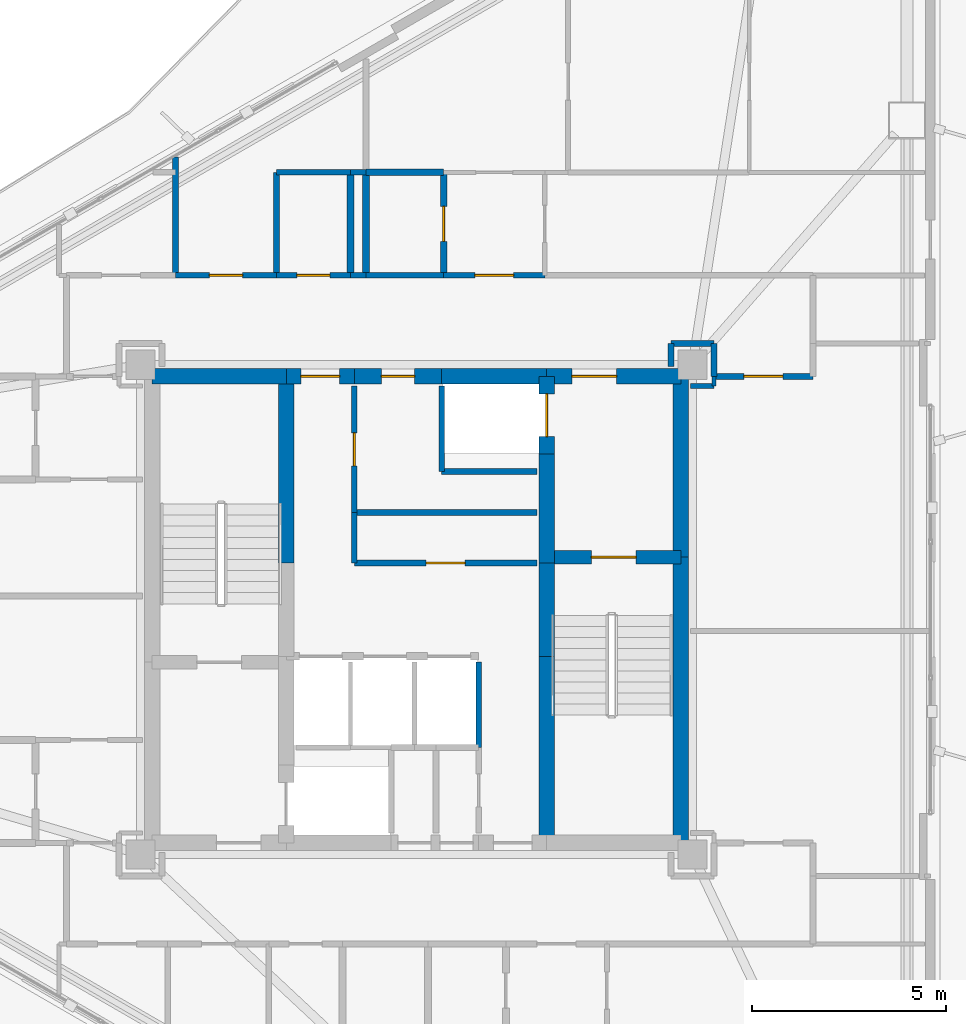
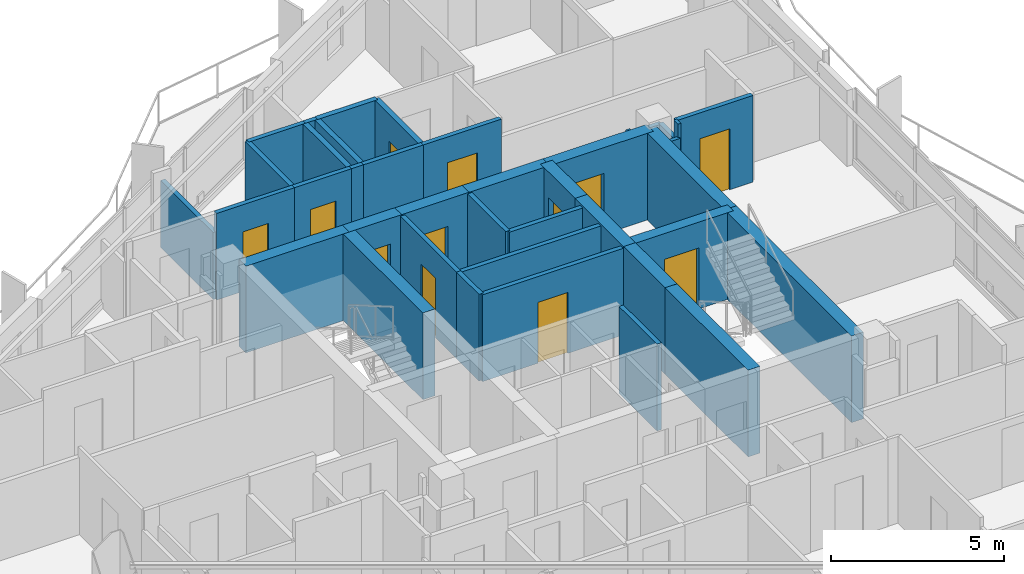
# One storey, part 15 of 19: 39 walls, 12 doors, 12 openings.
"""IFC4 building model written with IfcOpenShell, lengths in metres."""

import ifcopenshell
import ifcopenshell.guid

model = None  # the IFC model being written
_history = None  # IfcOwnerHistory: only IFC2X3 demands one
_inside = {}  # id of a spatial element -> (the spatial element, [elements in it])
_under = {}  # id of a project, library or spatial element -> (it, [spatial elements below it])
_declared = {}  # id of a project -> (the project, [libraries it declares])
_typed = {}  # id of a type object -> (the type object, [elements of that type])
_made_of = {}  # id of a material, layer set ... -> (it, [elements and type objects made of it])


def new_model(schema):
    """Start an empty IFC model of exactly this schema.

    Asked for "IFC4X3", IfcOpenShell would pick the latest addendum, in which some entities
    have other attributes; the version numbers below select the first issue.
    IFC2X3 requires an IfcOwnerHistory on every rooted entity: one is made here for all.
    """
    global model, _history
    if schema == "IFC4X3":
        model = ifcopenshell.file(schema_version=(4, 3, 0, 0))
    else:
        model = ifcopenshell.file(schema=schema)
    _inside.clear()
    _under.clear()
    _declared.clear()
    _typed.clear()
    _made_of.clear()
    _history = None
    if model.schema == "IFC2X3":
        org = make("IfcOrganization", Name="unknown")
        user = make(
            "IfcPersonAndOrganization",
            ThePerson=make("IfcPerson", FamilyName="unknown"),
            TheOrganization=org,
        )
        app = make(
            "IfcApplication",
            ApplicationDeveloper=org,
            Version="unknown",
            ApplicationFullName="unknown",
            ApplicationIdentifier="unknown",
        )
        _history = make(
            "IfcOwnerHistory",
            OwningUser=user,
            OwningApplication=app,
            ChangeAction="ADDED",
            CreationDate=0,
        )
    return model


def make(cls, **values):
    """One entity of the class cls with the attributes given. An attribute that is None is left unset."""
    return model.create_entity(
        cls, **{name: value for name, value in values.items() if value is not None}
    )


def rooted(cls, **values):
    """An entity with a GlobalId (a new one), such as an element, a storey or a relation."""
    return make(cls, GlobalId=ifcopenshell.guid.new(), OwnerHistory=_history, **values)


def si_unit(unit_type, name, prefix=None):
    """IfcSIUnit, for example si_unit("LENGTHUNIT", "METRE", prefix="MILLI")."""
    return make("IfcSIUnit", UnitType=unit_type, Prefix=prefix, Name=name)


def assignment(units):
    """IfcUnitAssignment: the units of a project."""
    return None if units is None else make("IfcUnitAssignment", Units=units)


def point(xyz):
    """IfcCartesianPoint."""
    return None if xyz is None else make("IfcCartesianPoint", Coordinates=xyz)


def direction(xyz):
    """IfcDirection."""
    return None if xyz is None else make("IfcDirection", DirectionRatios=xyz)


def frame(location, z_axis=None, x_axis=None):
    """IfcAxis2Placement3D, a coordinate frame: its origin and axes. An axis left out is left unset."""
    return make(
        "IfcAxis2Placement3D",
        Location=point(location),
        Axis=direction(z_axis),
        RefDirection=direction(x_axis),
    )


def frame_2d(location, x_axis=None):
    """IfcAxis2Placement2D, a coordinate frame in the plane: its origin and x axis."""
    return make(
        "IfcAxis2Placement2D", Location=point(location), RefDirection=direction(x_axis)
    )


def origin():
    """The frame at (0, 0, 0) with its axes left unset."""
    return frame((0.0, 0.0, 0.0))


def place(relative_to, where):
    """IfcLocalPlacement: puts the frame where relative to a parent placement (None: the world)."""
    return make(
        "IfcLocalPlacement", PlacementRelTo=relative_to, RelativePlacement=where
    )


def context(
    kind, dimensions, precision=None, world=None, true_north=None, identifier=None
):
    """IfcGeometricRepresentationContext, for example the 3D "Model" context."""
    return make(
        "IfcGeometricRepresentationContext",
        ContextIdentifier=identifier,
        ContextType=kind,
        CoordinateSpaceDimension=dimensions,
        Precision=precision,
        WorldCoordinateSystem=world,
        TrueNorth=true_north,
    )


def subcontext(parent, identifier, kind, view, scale=None):
    """IfcGeometricRepresentationSubContext, for example "Body" below "Model"."""
    return make(
        "IfcGeometricRepresentationSubContext",
        ContextIdentifier=identifier,
        ContextType=kind,
        ParentContext=parent,
        TargetScale=scale,
        TargetView=view,
    )


def project(units=None, contexts=None):
    """IfcProject with its units and contexts."""
    return rooted(
        "IfcProject",
        Name="project",
        RepresentationContexts=contexts,
        UnitsInContext=assignment(units),
    )


def spatial(cls, under=None, at=None, **own):
    """A site, building, storey or space (cls), placed at a placement, below another one or the project."""
    s = rooted(cls, ObjectPlacement=at, **own)
    if under is not None:
        _under.setdefault(under.id(), (under, []))[1].append(s)
    return s


def profile(cls, at=None, kind="AREA", **sizes):
    """A parametric profile (cls). Its sizes go by their IFC names, for example OverallWidth=200.0."""
    return make(cls, ProfileType=kind, Position=at, **sizes)


def rectangle(**sizes):
    """IfcRectangleProfileDef."""
    return profile("IfcRectangleProfileDef", **sizes)


def extrude(swept, where, along, depth):
    """IfcExtrudedAreaSolid: the profile swept, set in the frame where, extruded along a direction by depth."""
    return make(
        "IfcExtrudedAreaSolid",
        SweptArea=swept,
        Position=where,
        ExtrudedDirection=direction(along),
        Depth=depth,
    )


def shape(context_of_items, identifier, shape_type, items):
    """IfcShapeRepresentation: the items that make up one representation, for example the "Body"."""
    return make(
        "IfcShapeRepresentation",
        ContextOfItems=context_of_items,
        RepresentationIdentifier=identifier,
        RepresentationType=shape_type,
        Items=items,
    )


def material(Name=None, Category=None):
    """IfcMaterial."""
    return make("IfcMaterial", Name=Name, Category=Category)


def layer(
    of_material, thickness, ventilated=None, Name=None, Category=None, Priority=None
):
    """IfcMaterialLayer: one layer of a wall or slab, of a material (None: an air gap)."""
    return make(
        "IfcMaterialLayer",
        Material=of_material,
        LayerThickness=thickness,
        IsVentilated=ventilated,
        Name=Name,
        Category=Category,
        Priority=Priority,
    )


def layer_set(layers, Name=None):
    """IfcMaterialLayerSet."""
    return make("IfcMaterialLayerSet", MaterialLayers=layers, LayerSetName=Name)


def made_of(thing, what):
    """Note that an element or type object is made of a material, layer set ...; save() writes the relation."""
    if what is not None:
        _made_of.setdefault(what.id(), (what, []))[1].append(thing)
    return thing


def type_object(cls, material=None, **own):
    """A type object (cls), such as IfcWallType, which elements share."""
    return made_of(rooted(cls, **own), material)


def element(
    cls,
    number,
    at=None,
    inside=None,
    cuts=None,
    type_object=None,
    material=None,
    context=None,
    identifier="Body",
    shape_type=None,
    held_by="IfcProductDefinitionShape",
    body=None,
    shapes=None,
    **own,
):
    """One element of the class cls, such as IfcWall. Its Tag is "e" and its number.

    at: its placement. inside: the storey or other place that contains it. cuts: it is an
    opening in that element (IfcRelVoidsElement). A single representation is given by context,
    identifier, shape_type and body (its items); several are given by shapes. held_by: the class
    of the entity that holds the representations. save() writes the other relations.
    """
    e = rooted(cls, Tag="e%d" % number, ObjectPlacement=at, **own)
    if body is not None:
        shapes = [shape(context, identifier, shape_type, body)]
    if shapes is not None:
        e.Representation = make(held_by, Representations=shapes)
    if inside is not None:
        _inside.setdefault(inside.id(), (inside, []))[1].append(e)
    if cuts is not None:
        rooted(
            "IfcRelVoidsElement", RelatingBuildingElement=cuts, RelatedOpeningElement=e
        )
    if type_object is not None:
        _typed.setdefault(type_object.id(), (type_object, []))[1].append(e)
    return made_of(e, material)


def fill(opening, filler):
    """IfcRelFillsElement: the door or window that sits in an opening."""
    return rooted(
        "IfcRelFillsElement",
        RelatingOpeningElement=opening,
        RelatedBuildingElement=filler,
    )


def aggregate(whole, parts):
    """IfcRelAggregates: a whole, such as a stair, and the parts it consists of."""
    return rooted("IfcRelAggregates", RelatingObject=whole, RelatedObjects=parts)


def save(model, path):
    """Write the relations noted so far, then the file.

    IfcRelAggregates (storeys below a building ...), IfcRelContainedInSpatialStructure (elements
    in a storey), IfcRelDefinesByType, IfcRelAssociatesMaterial and IfcRelDeclares: one each for
    every whole, place, type object, material and project.
    """
    for whole, parts in _under.values():
        aggregate(whole, parts)
    for where, things in _inside.values():
        rooted(
            "IfcRelContainedInSpatialStructure",
            RelatedElements=things,
            RelatingStructure=where,
        )
    for kind, things in _typed.values():
        rooted("IfcRelDefinesByType", RelatedObjects=things, RelatingType=kind)
    for what, things in _made_of.values():
        rooted("IfcRelAssociatesMaterial", RelatedObjects=things, RelatingMaterial=what)
    for by, libraries in _declared.values():
        rooted("IfcRelDeclares", RelatingContext=by, RelatedDefinitions=libraries)
    model.write(path)


model = new_model("IFC4")

# Units and contexts
model_context = context("Model", 3, precision=1e-05, world=origin(), true_north=direction((0.0, 1.0)))
body_context = subcontext(model_context, "Body", "Model", "MODEL_VIEW")
ifc_project = project(units=[si_unit("LENGTHUNIT", "METRE"), si_unit("AREAUNIT", "SQUARE_METRE"), si_unit("VOLUMEUNIT", "CUBIC_METRE"), si_unit("PLANEANGLEUNIT", "RADIAN"), si_unit("MASSUNIT", "GRAM", prefix="KILO")], contexts=[model_context])

# Site, building, storey
site_placement = place(None, origin())
site = spatial("IfcSite", under=ifc_project, at=site_placement, CompositionType="ELEMENT")
building_placement = place(site_placement, origin())
building = spatial("IfcBuilding", under=site, at=building_placement, Name="Mersakhor Tower and Convention Hall", CompositionType="ELEMENT")
storey_placement = place(building_placement, frame((0.0, 0.0, 141.0)))
storey = spatial("IfcBuildingStorey", under=building, at=storey_placement, Name="L39", CompositionType="ELEMENT", Elevation=141.0)

# Wall, opening, door
ifc_material_1 = material(Name="Moisture-resistant acoustic drywall studwork", Category="other")
ifc_layer_1 = layer(ifc_material_1, 0.175048828125)
ifc_layer_set_1 = layer_set([ifc_layer_1], Name="Moisture-resistant acoustic drywall studwork")
wall_type_1 = type_object("IfcWallType", Name="WL-PLM-175", PredefinedType="PLUMBINGWALL", material=ifc_layer_set_1)
wall_1_placement = place(storey_placement, frame((29.699951171875, 35.35009765625, 0.0), z_axis=(0.0, 0.0, 1.0), x_axis=(0.0, 1.0, 0.0)))
wall_1 = element("IfcWall", 1, at=wall_1_placement, inside=storey, type_object=wall_type_1, Name="L39 Interior Partition Wall P-054", PredefinedType="PLUMBINGWALL", context=body_context, shape_type="SweptSolid", body=[
    extrude(rectangle(XDim=2.64990234375, YDim=0.175048828125, at=frame_2d((1.324951171875, 0.0))), origin(), (0.0, 0.0, 1.0), 3.06005859375),
])
opening_1_placement = place(wall_1_placement, frame((0.875, 0.0, 0.0)))
opening_1 = element("IfcOpeningElement", 2, at=opening_1_placement, cuts=wall_1, Name="Opening WD-01", PredefinedType="OPENING", context=body_context, shape_type="SweptSolid", body=[
    extrude(rectangle(XDim=0.89990234375, YDim=2.10009765625, at=frame_2d((0.449951171875, 1.050048828125))), frame((0.0, 0.097412109375, 0.0), z_axis=(0.0, -1.0, 0.0), x_axis=(1.0, 0.0, 0.0)), (0.0, 0.0, 1.0), 0.195068359375),
])
ifc_material_2 = material(Name="Solid-core hardwood leaf in painted steel frame", Category="steel")
door_type_1 = type_object("IfcDoorType", Name="DR-INT-WET-090x210", OperationType="NOTDEFINED", PredefinedType="DOOR", material=ifc_material_2)
door_1_placement = place(opening_1_placement, origin())
door_1 = element("IfcDoor", 3, at=door_1_placement, inside=storey, type_object=door_type_1, Name="L39 L39 Flat N2 Apartment Hall to L39 Flat N2 Bathroom Door", OperationType="SINGLE_SWING_RIGHT", OverallHeight=2.10009765625, OverallWidth=0.89990234375, PredefinedType="DOOR", context=body_context, shape_type="SweptSolid", body=[
    extrude(rectangle(XDim=0.89990234375, YDim=2.10009765625, at=frame_2d((0.449951171875, 1.050048828125))), frame((0.0, 0.02490234375, 0.0), z_axis=(0.0, -1.0, 0.0), x_axis=(1.0, 0.0, 0.0)), (0.0, 0.0, 1.0), 0.050048828125),
])
fill(opening_1, door_1)

# Walls
wall_2_placement = place(storey_placement, frame((27.300048828125, 38.0, 0.0), z_axis=(0.0, 0.0, 1.0), x_axis=(0.0, -1.0, 0.0)))
element("IfcWall", 4, at=wall_2_placement, inside=storey, type_object=wall_type_1, Name="L39 Interior Partition Wall P-069", PredefinedType="PLUMBINGWALL", context=body_context, shape_type="SweptSolid", body=[
    extrude(rectangle(XDim=2.64990234375, YDim=0.175048828125, at=frame_2d((1.324951171875, 0.0))), origin(), (0.0, 0.0, 1.0), 3.06005859375),
])
wall_3_placement = place(storey_placement, frame((27.699951171875, 38.0, 0.0), z_axis=(0.0, 0.0, 1.0), x_axis=(1.0, 0.0, 0.0)))
element("IfcWall", 5, at=wall_3_placement, inside=storey, type_object=wall_type_1, Name="L39 Interior Partition Wall P-071", PredefinedType="PLUMBINGWALL", context=body_context, shape_type="SweptSolid", body=[
    extrude(rectangle(XDim=2.0, YDim=0.175048828125, at=frame_2d((1.0, 0.0))), origin(), (0.0, 0.0, 1.0), 3.06005859375),
])
wall_4_placement = place(storey_placement, frame((27.699951171875, 35.35009765625, 0.0), z_axis=(0.0, 0.0, 1.0), x_axis=(0.0, 1.0, 0.0)))
element("IfcWall", 6, at=wall_4_placement, inside=storey, type_object=wall_type_1, Name="L39 Interior Partition Wall P-072", PredefinedType="PLUMBINGWALL", context=body_context, shape_type="SweptSolid", body=[
    extrude(rectangle(XDim=2.64990234375, YDim=0.175048828125, at=frame_2d((1.324951171875, 0.0))), origin(), (0.0, 0.0, 1.0), 3.06005859375),
])
ifc_material_3 = material(Name="Lightweight gypsum partition", Category="other")
ifc_layer_2 = layer(ifc_material_3, 0.10009765625)
ifc_layer_set_2 = layer_set([ifc_layer_2], Name="Lightweight gypsum partition")
wall_type_2 = type_object("IfcWallType", Name="WL-PRT-100", PredefinedType="PARTITIONING", material=ifc_layer_set_2)
wall_5_placement = place(storey_placement, frame((36.64990234375, 32.5, 0.0), z_axis=(0.0, 0.0, 1.0), x_axis=(0.0, 1.0, 0.0)))
element("IfcWall", 7, at=wall_5_placement, inside=storey, type_object=wall_type_2, Name="L39 Interior Partition Wall P-100", PredefinedType="PARTITIONING", context=body_context, shape_type="SweptSolid", body=[
    extrude(rectangle(XDim=0.25, YDim=0.10009765625, at=frame_2d((0.125, 0.0))), origin(), (0.0, 0.0, 1.0), 3.06005859375),
])
ifc_material_4 = material(Name="Gypsum board acoustic partition", Category="other")
ifc_layer_3 = layer(ifc_material_4, 0.125)
ifc_layer_set_3 = layer_set([ifc_layer_3], Name="Gypsum board acoustic partition")
wall_type_3 = type_object("IfcWallType", Name="WL-PRT-125", PredefinedType="PARTITIONING", material=ifc_layer_set_3)
wall_6_placement = place(storey_placement, frame((36.050048828125, 32.5, 0.0), z_axis=(0.0, 0.0, 1.0), x_axis=(1.0, 0.0, 0.0)))
element("IfcWall", 8, at=wall_6_placement, inside=storey, type_object=wall_type_3, Name="L39 Interior Partition Wall P-099", PredefinedType="PARTITIONING", context=body_context, shape_type="SweptSolid", body=[
    extrude(rectangle(XDim=0.599853515625, YDim=0.125, at=frame_2d((0.2998046875, 0.0))), origin(), (0.0, 0.0, 1.0), 2.5849609375),
])
ifc_material_5 = material(Name="Fire-rated gypsum board stud partition", Category="other")
ifc_layer_4 = layer(ifc_material_5, 0.14990234375)
ifc_layer_set_4 = layer_set([ifc_layer_4], Name="Fire-rated gypsum board stud partition")
wall_type_4 = type_object("IfcWallType", Name="WL-PRT-150", PredefinedType="PARTITIONING", material=ifc_layer_set_4)
wall_7_placement = place(storey_placement, frame((32.10009765625, 30.300048828125, 0.0), z_axis=(0.0, 0.0, 1.0), x_axis=(-1.0, 0.0, 0.0)))
element("IfcWall", 9, at=wall_7_placement, inside=storey, type_object=wall_type_4, Name="L39 Interior Partition Wall P-004", PredefinedType="PARTITIONING", context=body_context, shape_type="SweptSolid", body=[
    extrude(rectangle(XDim=2.4501953125, YDim=0.14990234375, at=frame_2d((1.22509765625, 0.0))), origin(), (0.0, 0.0, 1.0), 3.06005859375),
])
for number, where, z_axis, x_axis, name in (
    (10, (29.64990234375, 30.300048828125, 0.0), (0.0, 0.0, 1.0), (0.0, 1.0, 0.0), "L39 Interior Partition Wall P-005"),
    (11, (30.60009765625, 25.39990234375, 0.0), (0.0, 0.0, 1.0), (0.0, -1.0, 0.0), "L39 Interior Partition Wall P-009"),
):
    element("IfcWall", number, at=place(storey_placement, frame(where, z_axis=z_axis, x_axis=x_axis)), inside=storey, type_object=wall_type_4, Name=name, PredefinedType="PARTITIONING", context=body_context, shape_type="SweptSolid", body=[
        extrude(rectangle(XDim=2.199951171875, YDim=0.14990234375, at=frame_2d((1.10009765625, 0.0))), origin(), (0.0, 0.0, 1.0), 3.06005859375),
    ])

# Wall, opening, door
wall_8_placement = place(storey_placement, frame((27.39990234375, 32.5, 0.0), z_axis=(0.0, 0.0, 1.0), x_axis=(0.0, -1.0, 0.0)))
wall_8 = element("IfcWall", 12, at=wall_8_placement, inside=storey, type_object=wall_type_4, Name="L39 Interior Partition Wall P-013", PredefinedType="PARTITIONING", context=body_context, shape_type="SweptSolid", body=[
    extrude(rectangle(XDim=3.25, YDim=0.14990234375, at=frame_2d((1.625, 0.0))), origin(), (0.0, 0.0, 1.0), 3.06005859375),
])
opening_2_placement = place(wall_8_placement, frame((1.199951171875, 0.0, 0.0)))
opening_2 = element("IfcOpeningElement", 13, at=opening_2_placement, cuts=wall_8, Name="Opening SVD-01", PredefinedType="OPENING", context=body_context, shape_type="SweptSolid", body=[
    extrude(rectangle(XDim=0.85009765625, YDim=2.10009765625, at=frame_2d((0.425048828125, 1.050048828125))), frame((0.0, 0.0849609375, 0.0), z_axis=(0.0, -1.0, 0.0), x_axis=(1.0, 0.0, 0.0)), (0.0, 0.0, 1.0), 0.169921875),
])
ifc_material_6 = material(Name="Fire-rated hardwood leaf and painted steel frame", Category="steel")
door_type_2 = type_object("IfcDoorType", Name="DR-INT-SVC-085x210", OperationType="NOTDEFINED", PredefinedType="DOOR", material=ifc_material_6)
door_2_placement = place(opening_2_placement, origin())
door_2 = element("IfcDoor", 14, at=door_2_placement, inside=storey, type_object=door_type_2, Name="L39 Central Passenger Lift Lobby to Resident Recycling and Utility Store Door", OperationType="SINGLE_SWING_RIGHT", OverallHeight=2.10009765625, OverallWidth=0.85009765625, PredefinedType="DOOR", context=body_context, shape_type="SweptSolid", body=[
    extrude(rectangle(XDim=0.85009765625, YDim=2.10009765625, at=frame_2d((0.425048828125, 1.050048828125))), frame((0.0, 0.02490234375, 0.0), z_axis=(0.0, -1.0, 0.0), x_axis=(1.0, 0.0, 0.0)), (0.0, 0.0, 1.0), 0.050048828125),
])
fill(opening_2, door_2)

# Wall
wall_9_placement = place(storey_placement, frame((27.39990234375, 29.25, 0.0), z_axis=(0.0, 0.0, 1.0), x_axis=(0.0, -1.0, 0.0)))
element("IfcWall", 15, at=wall_9_placement, inside=storey, type_object=wall_type_4, Name="L39 Interior Partition Wall P-014", PredefinedType="PARTITIONING", context=body_context, shape_type="SweptSolid", body=[
    extrude(rectangle(XDim=1.300048828125, YDim=0.14990234375, at=frame_2d((0.64990234375, 0.0))), origin(), (0.0, 0.0, 1.0), 3.06005859375),
])

# Wall, opening, door
wall_10_placement = place(storey_placement, frame((27.39990234375, 27.949951171875, 0.0), z_axis=(0.0, 0.0, 1.0), x_axis=(1.0, 0.0, 0.0)))
wall_10 = element("IfcWall", 16, at=wall_10_placement, inside=storey, type_object=wall_type_4, Name="L39 Interior Partition Wall P-015", PredefinedType="PARTITIONING", context=body_context, shape_type="SweptSolid", body=[
    extrude(rectangle(XDim=4.7001953125, YDim=0.14990234375, at=frame_2d((2.35009765625, 0.0))), origin(), (0.0, 0.0, 1.0), 3.06005859375),
])
opening_3_placement = place(wall_10_placement, frame((1.85009765625, 0.0, 0.0)))
opening_3 = element("IfcOpeningElement", 17, at=opening_3_placement, cuts=wall_10, Name="Opening FD-01", PredefinedType="OPENING", context=body_context, shape_type="SweptSolid", body=[
    extrude(rectangle(XDim=1.0, YDim=2.14990234375, at=frame_2d((0.5, 1.074951171875))), frame((0.0, 0.0849609375, 0.0), z_axis=(0.0, -1.0, 0.0), x_axis=(1.0, 0.0, 0.0)), (0.0, 0.0, 1.0), 0.169921875),
])
ifc_material_7 = material(Name="Fire-rated hardwood leaf and painted steel frame", Category="steel")
door_type_3 = type_object("IfcDoorType", Name="DR-INT-FLT-100x215", OperationType="NOTDEFINED", PredefinedType="DOOR", material=ifc_material_7)
door_3_placement = place(opening_3_placement, origin())
door_3 = element("IfcDoor", 18, at=door_3_placement, inside=storey, type_object=door_type_3, Name="L39 Central Passenger Lift Lobby to Household Laundry Room Door", OperationType="SINGLE_SWING_LEFT", OverallHeight=2.14990234375, OverallWidth=1.0, PredefinedType="DOOR", context=body_context, shape_type="SweptSolid", body=[
    extrude(rectangle(XDim=1.0, YDim=2.14990234375, at=frame_2d((0.5, 1.074951171875))), frame((0.0, 0.02490234375, 0.0), z_axis=(0.0, -1.0, 0.0), x_axis=(1.0, 0.0, 0.0)), (0.0, 0.0, 1.0), 0.050048828125),
])
fill(opening_3, door_3)

# Wall
wall_11_placement = place(storey_placement, frame((35.550048828125, 33.60009765625, 0.0), z_axis=(0.0, 0.0, 1.0), x_axis=(0.0, -1.0, 0.0)))
element("IfcWall", 19, at=wall_11_placement, inside=storey, type_object=wall_type_4, Name="L39 Interior Partition Wall P-016", PredefinedType="PARTITIONING", context=body_context, shape_type="SweptSolid", body=[
    extrude(rectangle(XDim=0.60009765625, YDim=0.14990234375, at=frame_2d((0.300048828125, 0.0))), origin(), (0.0, 0.0, 1.0), 2.5849609375),
])

# Wall, opening, door
wall_12_placement = place(storey_placement, frame((22.800048828125, 35.35009765625, 0.0), z_axis=(0.0, 0.0, 1.0), x_axis=(1.0, 0.0, 0.0)))
wall_12 = element("IfcWall", 20, at=wall_12_placement, inside=storey, type_object=wall_type_4, Name="L39 Interior Partition Wall P-023", PredefinedType="PARTITIONING", context=body_context, shape_type="SweptSolid", body=[
    extrude(rectangle(XDim=2.599853515625, YDim=0.14990234375, at=frame_2d((1.2998046875, 0.0))), origin(), (0.0, 0.0, 1.0), 3.06005859375),
])
opening_4_placement = place(wall_12_placement, frame((0.875, 0.0, 0.0)))
opening_4 = element("IfcOpeningElement", 21, at=opening_4_placement, cuts=wall_12, Name="Opening SVD-01", PredefinedType="OPENING", context=body_context, shape_type="SweptSolid", body=[
    extrude(rectangle(XDim=0.85009765625, YDim=2.10009765625, at=frame_2d((0.425048828125, 1.050048828125))), frame((0.0, 0.0849609375, 0.0), z_axis=(0.0, -1.0, 0.0), x_axis=(1.0, 0.0, 0.0)), (0.0, 0.0, 1.0), 0.169921875),
])
door_4_placement = place(opening_4_placement, origin())
door_4 = element("IfcDoor", 22, at=door_4_placement, inside=storey, type_object=door_type_2, Name="L39 Residential North Gallery Corridor to L39 Floor Household Store Room 1-1 Door", OperationType="SINGLE_SWING_RIGHT", OverallHeight=2.10009765625, OverallWidth=0.85009765625, PredefinedType="DOOR", context=body_context, shape_type="SweptSolid", body=[
    extrude(rectangle(XDim=0.85009765625, YDim=2.10009765625, at=frame_2d((0.425048828125, 1.050048828125))), frame((0.0, 0.02490234375, 0.0), z_axis=(0.0, -1.0, 0.0), x_axis=(1.0, 0.0, 0.0)), (0.0, 0.0, 1.0), 0.050048828125),
])
fill(opening_4, door_4)

wall_13_placement = place(storey_placement, frame((25.39990234375, 35.35009765625, 0.0), z_axis=(0.0, 0.0, 1.0), x_axis=(1.0, 0.0, 0.0)))
wall_13 = element("IfcWall", 23, at=wall_13_placement, inside=storey, type_object=wall_type_4, Name="L39 Interior Partition Wall P-024", PredefinedType="PARTITIONING", context=body_context, shape_type="SweptSolid", body=[
    extrude(rectangle(XDim=1.900146484375, YDim=0.14990234375, at=frame_2d((0.9501953125, 0.0))), origin(), (0.0, 0.0, 1.0), 3.06005859375),
])
opening_5_placement = place(wall_13_placement, frame((0.52490234375, 0.0, 0.0)))
opening_5 = element("IfcOpeningElement", 24, at=opening_5_placement, cuts=wall_13, Name="Opening SVD-01", PredefinedType="OPENING", context=body_context, shape_type="SweptSolid", body=[
    extrude(rectangle(XDim=0.85009765625, YDim=2.10009765625, at=frame_2d((0.425048828125, 1.050048828125))), frame((0.0, 0.0849609375, 0.0), z_axis=(0.0, -1.0, 0.0), x_axis=(1.0, 0.0, 0.0)), (0.0, 0.0, 1.0), 0.169921875),
])
door_5_placement = place(opening_5_placement, origin())
door_5 = element("IfcDoor", 25, at=door_5_placement, inside=storey, type_object=door_type_2, Name="L39 Residential North Gallery Corridor to L39 Floor Shared Restroom WC 1-2 Door", OperationType="SINGLE_SWING_LEFT", OverallHeight=2.10009765625, OverallWidth=0.85009765625, PredefinedType="DOOR", context=body_context, shape_type="SweptSolid", body=[
    extrude(rectangle(XDim=0.85009765625, YDim=2.10009765625, at=frame_2d((0.425048828125, 1.050048828125))), frame((0.0, 0.02490234375, 0.0), z_axis=(0.0, -1.0, 0.0), x_axis=(1.0, 0.0, 0.0)), (0.0, 0.0, 1.0), 0.050048828125),
])
fill(opening_5, door_5)

# Walls
wall_14_placement = place(storey_placement, frame((27.300048828125, 35.35009765625, 0.0), z_axis=(0.0, 0.0, 1.0), x_axis=(1.0, 0.0, 0.0)))
element("IfcWall", 26, at=wall_14_placement, inside=storey, type_object=wall_type_4, Name="L39 Interior Partition Wall P-025", PredefinedType="PARTITIONING", context=body_context, shape_type="SweptSolid", body=[
    extrude(rectangle(XDim=0.39990234375, YDim=0.14990234375, at=frame_2d((0.199951171875, 0.0))), origin(), (0.0, 0.0, 1.0), 3.06005859375),
])
wall_15_placement = place(storey_placement, frame((27.699951171875, 35.35009765625, 0.0), z_axis=(0.0, 0.0, 1.0), x_axis=(1.0, 0.0, 0.0)))
element("IfcWall", 27, at=wall_15_placement, inside=storey, type_object=wall_type_4, Name="L39 Interior Partition Wall P-026", PredefinedType="PARTITIONING", context=body_context, shape_type="SweptSolid", body=[
    extrude(rectangle(XDim=2.0, YDim=0.14990234375, at=frame_2d((1.0, 0.0))), origin(), (0.0, 0.0, 1.0), 3.06005859375),
])

# Wall, opening, door
wall_16_placement = place(storey_placement, frame((29.699951171875, 35.35009765625, 0.0), z_axis=(0.0, 0.0, 1.0), x_axis=(1.0, 0.0, 0.0)))
wall_16 = element("IfcWall", 28, at=wall_16_placement, inside=storey, type_object=wall_type_4, Name="L39 Interior Partition Wall P-027", PredefinedType="PARTITIONING", context=body_context, shape_type="SweptSolid", body=[
    extrude(rectangle(XDim=2.60009765625, YDim=0.14990234375, at=frame_2d((1.300048828125, 0.0))), origin(), (0.0, 0.0, 1.0), 3.06005859375),
])
opening_6_placement = place(wall_16_placement, frame((0.800048828125, 0.0, 0.0)))
opening_6 = element("IfcOpeningElement", 29, at=opening_6_placement, cuts=wall_16, Name="Opening FD-01", PredefinedType="OPENING", context=body_context, shape_type="SweptSolid", body=[
    extrude(rectangle(XDim=1.0, YDim=2.14990234375, at=frame_2d((0.5, 1.074951171875))), frame((0.0, 0.0849609375, 0.0), z_axis=(0.0, -1.0, 0.0), x_axis=(1.0, 0.0, 0.0)), (0.0, 0.0, 1.0), 0.169921875),
])
door_6_placement = place(opening_6_placement, origin())
door_6 = element("IfcDoor", 30, at=door_6_placement, inside=storey, type_object=door_type_3, Name="L39 Apartment Entrance Door (Residential North Gallery Corridor to L39 Flat N2 Apartment Hall)", OperationType="SINGLE_SWING_LEFT", OverallHeight=2.14990234375, OverallWidth=1.0, PredefinedType="DOOR", context=body_context, shape_type="SweptSolid", body=[
    extrude(rectangle(XDim=1.0, YDim=2.14990234375, at=frame_2d((0.5, 1.074951171875))), frame((0.0, 0.02490234375, 0.0), z_axis=(0.0, -1.0, 0.0), x_axis=(1.0, 0.0, 0.0)), (0.0, 0.0, 1.0), 0.050048828125),
])
fill(opening_6, door_6)

wall_17_placement = place(storey_placement, frame((39.199951171875, 32.75, 0.0), z_axis=(0.0, 0.0, 1.0), x_axis=(-1.0, 0.0, 0.0)))
wall_17 = element("IfcWall", 31, at=wall_17_placement, inside=storey, type_object=wall_type_4, Name="L39 Interior Partition Wall P-031", PredefinedType="PARTITIONING", context=body_context, shape_type="SweptSolid", body=[
    extrude(rectangle(XDim=2.550048828125, YDim=0.14990234375, at=frame_2d((1.27490234375, 0.0))), origin(), (0.0, 0.0, 1.0), 3.06005859375),
])
opening_7_placement = place(wall_17_placement, frame((0.77490234375, 0.0, 0.0)))
opening_7 = element("IfcOpeningElement", 32, at=opening_7_placement, cuts=wall_17, Name="Opening FD-01", PredefinedType="OPENING", context=body_context, shape_type="SweptSolid", body=[
    extrude(rectangle(XDim=1.0, YDim=2.14990234375, at=frame_2d((0.5, 1.074951171875))), frame((0.0, 0.0849609375, 0.0), z_axis=(0.0, -1.0, 0.0), x_axis=(1.0, 0.0, 0.0)), (0.0, 0.0, 1.0), 0.169921875),
])
door_7_placement = place(opening_7_placement, origin())
door_7 = element("IfcDoor", 33, at=door_7_placement, inside=storey, type_object=door_type_3, Name="L39 Residential North Gallery Corridor to L39 East Wing Co-Working Office Door", OperationType="SINGLE_SWING_LEFT", OverallHeight=2.14990234375, OverallWidth=1.0, PredefinedType="DOOR", context=body_context, shape_type="SweptSolid", body=[
    extrude(rectangle(XDim=1.0, YDim=2.14990234375, at=frame_2d((0.5, 1.074951171875))), frame((0.0, 0.02490234375, 0.0), z_axis=(0.0, -1.0, 0.0), x_axis=(1.0, 0.0, 0.0)), (0.0, 0.0, 1.0), 0.050048828125),
])
fill(opening_7, door_7)

# Walls
wall_18_placement = place(storey_placement, frame((36.64990234375, 32.75, 0.0), z_axis=(0.0, 0.0, 1.0), x_axis=(0.0, 1.0, 0.0)))
element("IfcWall", 34, at=wall_18_placement, inside=storey, type_object=wall_type_4, Name="L39 Interior Partition Wall P-032", PredefinedType="PARTITIONING", context=body_context, shape_type="SweptSolid", body=[
    extrude(rectangle(XDim=0.85009765625, YDim=0.14990234375, at=frame_2d((0.425048828125, 0.0))), origin(), (0.0, 0.0, 1.0), 2.432861328125),
])
wall_19_placement = place(storey_placement, frame((36.64990234375, 33.60009765625, 0.0), z_axis=(0.0, 0.0, 1.0), x_axis=(-1.0, 0.0, 0.0)))
element("IfcWall", 35, at=wall_19_placement, inside=storey, type_object=wall_type_4, Name="L39 Interior Partition Wall P-033", PredefinedType="PARTITIONING", context=body_context, shape_type="SweptSolid", body=[
    extrude(rectangle(XDim=1.099853515625, YDim=0.14990234375, at=frame_2d((0.5498046875, 0.0))), origin(), (0.0, 0.0, 1.0), 2.432861328125),
])
wall_20_placement = place(storey_placement, frame((25.39990234375, 38.0, 0.0), z_axis=(0.0, 0.0, 1.0), x_axis=(1.0, 0.0, 0.0)))
element("IfcWall", 36, at=wall_20_placement, inside=storey, type_object=wall_type_4, Name="L39 Interior Partition Wall P-068", PredefinedType="PARTITIONING", context=body_context, shape_type="SweptSolid", body=[
    extrude(rectangle(XDim=1.900146484375, YDim=0.14990234375, at=frame_2d((0.9501953125, 0.0))), origin(), (0.0, 0.0, 1.0), 3.06005859375),
])
wall_21_placement = place(storey_placement, frame((25.39990234375, 35.35009765625, 0.0), z_axis=(0.0, 0.0, 1.0), x_axis=(0.0, 1.0, 0.0)))
element("IfcWall", 37, at=wall_21_placement, inside=storey, type_object=wall_type_4, Name="L39 Interior Partition Wall P-070", PredefinedType="PARTITIONING", context=body_context, shape_type="SweptSolid", body=[
    extrude(rectangle(XDim=2.64990234375, YDim=0.14990234375, at=frame_2d((1.324951171875, 0.0))), origin(), (0.0, 0.0, 1.0), 3.06005859375),
])
wall_22_placement = place(storey_placement, frame((32.10009765625, 29.25, 0.0), z_axis=(0.0, 0.0, 1.0), x_axis=(-1.0, 0.0, 0.0)))
element("IfcWall", 38, at=wall_22_placement, inside=storey, type_object=wall_type_4, Name="L39 Interior Partition Wall P-097", PredefinedType="PARTITIONING", context=body_context, shape_type="SweptSolid", body=[
    extrude(rectangle(XDim=4.7001953125, YDim=0.14990234375, at=frame_2d((2.35009765625, 0.0))), origin(), (0.0, 0.0, 1.0), 3.06005859375),
])
wall_23_placement = place(storey_placement, frame((27.699951171875, 38.0, 0.0), z_axis=(0.0, 0.0, 1.0), x_axis=(-1.0, 0.0, 0.0)))
element("IfcWall", 39, at=wall_23_placement, inside=storey, type_object=wall_type_4, Name="L39 Interior Partition Wall P-109", PredefinedType="PARTITIONING", context=body_context, shape_type="SweptSolid", body=[
    extrude(rectangle(XDim=0.39990234375, YDim=0.14990234375, at=frame_2d((0.199951171875, 0.0))), origin(), (0.0, 0.0, 1.0), 3.06005859375),
])
wall_24_placement = place(storey_placement, frame((22.800048828125, 35.35009765625, 0.0), z_axis=(0.0, 0.0, 1.0), x_axis=(0.0, 1.0, 0.0)))
element("IfcWall", 40, at=wall_24_placement, inside=storey, type_object=wall_type_4, Name="L39 Interior Partition Wall P-110", PredefinedType="PARTITIONING", context=body_context, shape_type="SweptSolid", body=[
    extrude(rectangle(XDim=3.04052734375, YDim=0.14990234375, at=frame_2d((1.520263671875, 0.0))), origin(), (0.0, 0.0, 1.0), 2.364990234375),
])

# Wall, opening, door
ifc_material_8 = material(Name="Concrete C50/60", Category="concrete")
ifc_layer_5 = layer(ifc_material_8, 0.35009765625)
ifc_layer_set_5 = layer_set([ifc_layer_5], Name="Concrete C50/60")
wall_type_5 = type_object("IfcWallType", Name="WL-SHR-350", PredefinedType="SHEAR", material=ifc_layer_set_5)
wall_25_placement = place(storey_placement, frame((32.35009765625, 28.10009765625, 0.0), z_axis=(0.0, 0.0, 1.0), x_axis=(1.0, 0.0, 0.0)))
wall_25 = element("IfcWall", 41, at=wall_25_placement, inside=storey, type_object=wall_type_5, Name="L39 Core Wall CS-ST2-N", PredefinedType="SHEAR", context=body_context, shape_type="SweptSolid", body=[
    extrude(rectangle(XDim=3.449951171875, YDim=0.35009765625, at=frame_2d((1.72509765625, 0.0))), origin(), (0.0, 0.0, 1.0), 3.06005859375),
])
opening_8_placement = place(wall_25_placement, frame((1.14990234375, 0.0, 0.0)))
opening_8 = element("IfcOpeningElement", 42, at=opening_8_placement, cuts=wall_25, Name="Opening SD-01", PredefinedType="OPENING", context=body_context, shape_type="SweptSolid", body=[
    extrude(rectangle(XDim=1.14990234375, YDim=2.14990234375, at=frame_2d((0.574951171875, 1.074951171875))), frame((0.0, 0.18505859375, 0.0), z_axis=(0.0, -1.0, 0.0), x_axis=(1.0, 0.0, 0.0)), (0.0, 0.0, 1.0), 0.3701171875),
])
ifc_material_9 = material(Name="Fire-rated hardwood leaf and painted steel frame", Category="steel")
door_type_4 = type_object("IfcDoorType", Name="DR-INT-STAIR-115x215", OperationType="NOTDEFINED", PredefinedType="DOOR", material=ifc_material_9)
door_8_placement = place(opening_8_placement, origin())
door_8 = element("IfcDoor", 43, at=door_8_placement, inside=storey, type_object=door_type_4, Name="L39 Exit Stair ST-2 Enclosure Door", OperationType="SINGLE_SWING_RIGHT", OverallHeight=2.14990234375, OverallWidth=1.14990234375, PredefinedType="DOOR", context=body_context, shape_type="SweptSolid", body=[
    extrude(rectangle(XDim=1.14990234375, YDim=2.14990234375, at=frame_2d((0.574951171875, 1.074951171875))), frame((0.0, 0.02490234375, 0.0), z_axis=(0.0, -1.0, 0.0), x_axis=(1.0, 0.0, 0.0)), (0.0, 0.0, 1.0), 0.050048828125),
])
fill(opening_8, door_8)

# Wall
ifc_material_10 = material(Name="Concrete C60/75", Category="concrete")
ifc_layer_6 = layer(ifc_material_10, 0.39990234375)
ifc_layer_set_6 = layer_set([ifc_layer_6], Name="Concrete C60/75")
wall_type_6 = type_object("IfcWallType", Name="WL-SHR-400", PredefinedType="SHEAR", material=ifc_layer_set_6)
wall_26_placement = place(storey_placement, frame((22.199951171875, 32.75, 0.0), z_axis=(0.0, 0.0, 1.0), x_axis=(1.0, 0.0, 0.0)))
element("IfcWall", 44, at=wall_26_placement, inside=storey, type_object=wall_type_6, Name="L39 Core Wall CW-N1", PredefinedType="SHEAR", context=body_context, shape_type="SweptSolid", body=[
    extrude(rectangle(XDim=3.449951171875, YDim=0.39990234375, at=frame_2d((1.72509765625, 0.0))), origin(), (0.0, 0.0, 1.0), 3.06005859375),
])

# Wall, opening, door
wall_27_placement = place(storey_placement, frame((25.64990234375, 32.75, 0.0), z_axis=(0.0, 0.0, 1.0), x_axis=(1.0, 0.0, 0.0)))
wall_27 = element("IfcWall", 45, at=wall_27_placement, inside=storey, type_object=wall_type_6, Name="L39 Core Wall CW-N2A", PredefinedType="SHEAR", context=body_context, shape_type="SweptSolid", body=[
    extrude(rectangle(XDim=1.75, YDim=0.39990234375, at=frame_2d((0.875, 0.0))), origin(), (0.0, 0.0, 1.0), 3.06005859375),
])
opening_9_placement = place(wall_27_placement, frame((0.375, 0.0, 0.0)))
opening_9 = element("IfcOpeningElement", 46, at=opening_9_placement, cuts=wall_27, Name="Opening CFD-01", PredefinedType="OPENING", context=body_context, shape_type="SweptSolid", body=[
    extrude(rectangle(XDim=1.0, YDim=2.14990234375, at=frame_2d((0.5, 1.074951171875))), frame((0.0, 0.2099609375, 0.0), z_axis=(0.0, -1.0, 0.0), x_axis=(1.0, 0.0, 0.0)), (0.0, 0.0, 1.0), 0.419921875),
])
ifc_material_11 = material(Name="Fire-rated hardwood leaf and painted steel frame", Category="steel")
door_type_5 = type_object("IfcDoorType", Name="DR-CORE-FD-100x215", OperationType="NOTDEFINED", PredefinedType="DOOR", material=ifc_material_11)
door_9_placement = place(opening_9_placement, origin())
door_9 = element("IfcDoor", 47, at=door_9_placement, inside=storey, type_object=door_type_5, Name="L39 Lift Lobby North Corridor Door", OperationType="SINGLE_SWING_LEFT", OverallHeight=2.14990234375, OverallWidth=1.0, PredefinedType="DOOR", context=body_context, shape_type="SweptSolid", body=[
    extrude(rectangle(XDim=1.0, YDim=2.14990234375, at=frame_2d((0.5, 1.074951171875))), frame((0.0, 0.02490234375, 0.0), z_axis=(0.0, -1.0, 0.0), x_axis=(1.0, 0.0, 0.0)), (0.0, 0.0, 1.0), 0.050048828125),
])
fill(opening_9, door_9)

wall_28_placement = place(storey_placement, frame((27.39990234375, 32.75, 0.0), z_axis=(0.0, 0.0, 1.0), x_axis=(1.0, 0.0, 0.0)))
wall_28 = element("IfcWall", 48, at=wall_28_placement, inside=storey, type_object=wall_type_6, Name="L39 Core Wall CW-N2B", PredefinedType="SHEAR", context=body_context, shape_type="SweptSolid", body=[
    extrude(rectangle(XDim=2.25, YDim=0.39990234375, at=frame_2d((1.125, 0.0))), origin(), (0.0, 0.0, 1.0), 3.06005859375),
])
opening_10_placement = place(wall_28_placement, frame((0.699951171875, 0.0, 0.0)))
opening_10 = element("IfcOpeningElement", 49, at=opening_10_placement, cuts=wall_28, Name="Opening SVD-01", PredefinedType="OPENING", context=body_context, shape_type="SweptSolid", body=[
    extrude(rectangle(XDim=0.85009765625, YDim=2.10009765625, at=frame_2d((0.425048828125, 1.050048828125))), frame((0.0, 0.2099609375, 0.0), z_axis=(0.0, -1.0, 0.0), x_axis=(1.0, 0.0, 0.0)), (0.0, 0.0, 1.0), 0.419921875),
])
door_10_placement = place(opening_10_placement, origin())
door_10 = element("IfcDoor", 50, at=door_10_placement, inside=storey, type_object=door_type_2, Name="L39 Residential North Gallery Corridor to Resident Recycling and Utility Store Door", OperationType="SINGLE_SWING_RIGHT", OverallHeight=2.10009765625, OverallWidth=0.85009765625, PredefinedType="DOOR", context=body_context, shape_type="SweptSolid", body=[
    extrude(rectangle(XDim=0.85009765625, YDim=2.10009765625, at=frame_2d((0.425048828125, 1.050048828125))), frame((0.0, 0.02490234375, 0.0), z_axis=(0.0, -1.0, 0.0), x_axis=(1.0, 0.0, 0.0)), (0.0, 0.0, 1.0), 0.050048828125),
])
fill(opening_10, door_10)

# Wall
wall_29_placement = place(storey_placement, frame((29.64990234375, 32.75, 0.0), z_axis=(0.0, 0.0, 1.0), x_axis=(1.0, 0.0, 0.0)))
element("IfcWall", 51, at=wall_29_placement, inside=storey, type_object=wall_type_6, Name="L39 Core Wall CW-N3", PredefinedType="SHEAR", context=body_context, shape_type="SweptSolid", body=[
    extrude(rectangle(XDim=2.7001953125, YDim=0.39990234375, at=frame_2d((1.35009765625, 0.0))), origin(), (0.0, 0.0, 1.0), 3.06005859375),
])

# Wall, opening, door
wall_30_placement = place(storey_placement, frame((32.35009765625, 32.75, 0.0), z_axis=(0.0, 0.0, 1.0), x_axis=(1.0, 0.0, 0.0)))
wall_30 = element("IfcWall", 52, at=wall_30_placement, inside=storey, type_object=wall_type_6, Name="L39 Core Wall CW-N4", PredefinedType="SHEAR", context=body_context, shape_type="SweptSolid", body=[
    extrude(rectangle(XDim=3.449951171875, YDim=0.39990234375, at=frame_2d((1.72509765625, 0.0))), origin(), (0.0, 0.0, 1.0), 3.06005859375),
])
opening_11_placement = place(wall_30_placement, frame((0.64990234375, 0.0, 0.0)))
opening_11 = element("IfcOpeningElement", 53, at=opening_11_placement, cuts=wall_30, Name="Opening SD-01", PredefinedType="OPENING", context=body_context, shape_type="SweptSolid", body=[
    extrude(rectangle(XDim=1.14990234375, YDim=2.14990234375, at=frame_2d((0.574951171875, 1.074951171875))), frame((0.0, 0.2099609375, 0.0), z_axis=(0.0, -1.0, 0.0), x_axis=(1.0, 0.0, 0.0)), (0.0, 0.0, 1.0), 0.419921875),
])
door_11_placement = place(opening_11_placement, origin())
door_11 = element("IfcDoor", 54, at=door_11_placement, inside=storey, type_object=door_type_4, Name="L39 Firefighting Lobby East Fire Door", OperationType="SINGLE_SWING_RIGHT", OverallHeight=2.14990234375, OverallWidth=1.14990234375, PredefinedType="DOOR", context=body_context, shape_type="SweptSolid", body=[
    extrude(rectangle(XDim=1.14990234375, YDim=2.14990234375, at=frame_2d((0.574951171875, 1.074951171875))), frame((0.0, 0.02490234375, 0.0), z_axis=(0.0, -1.0, 0.0), x_axis=(1.0, 0.0, 0.0)), (0.0, 0.0, 1.0), 0.050048828125),
])
fill(opening_11, door_11)

# Walls
wall_31_placement = place(storey_placement, frame((35.800048828125, 32.75, 0.0), z_axis=(0.0, 0.0, 1.0), x_axis=(0.0, -1.0, 0.0)))
element("IfcWall", 55, at=wall_31_placement, inside=storey, type_object=wall_type_6, Name="L39 Core Wall CW-E1", PredefinedType="SHEAR", context=body_context, shape_type="SweptSolid", body=[
    extrude(rectangle(XDim=4.64990234375, YDim=0.39990234375, at=frame_2d((2.324951171875, 0.0))), origin(), (0.0, 0.0, 1.0), 3.06005859375),
])
wall_32_placement = place(storey_placement, frame((35.800048828125, 28.10009765625, 0.0), z_axis=(0.0, 0.0, 1.0), x_axis=(0.0, -1.0, 0.0)))
element("IfcWall", 56, at=wall_32_placement, inside=storey, type_object=wall_type_6, Name="L39 Core Wall CW-E2", PredefinedType="SHEAR", context=body_context, shape_type="SweptSolid", body=[
    extrude(rectangle(XDim=7.35009765625, YDim=0.39990234375, at=frame_2d((3.675048828125, 0.0))), origin(), (0.0, 0.0, 1.0), 3.06005859375),
])
for number, where, z_axis, x_axis, name in (
    (57, (25.64990234375, 27.949951171875, 0.0), (0.0, 0.0, 1.0), (0.0, 1.0, 0.0), "L39 Core Wall CS-W-ST1"),
    (58, (32.35009765625, 20.75, 0.0), (0.0, 0.0, 1.0), (0.0, 1.0, 0.0), "L39 Core Wall CS-E-ST2"),
):
    element("IfcWall", number, at=place(storey_placement, frame(where, z_axis=z_axis, x_axis=x_axis)), inside=storey, type_object=wall_type_6, Name=name, PredefinedType="SHEAR", context=body_context, shape_type="SweptSolid", body=[
        extrude(rectangle(XDim=4.800048828125, YDim=0.39990234375, at=frame_2d((2.39990234375, 0.0))), origin(), (0.0, 0.0, 1.0), 3.06005859375),
    ])
wall_33_placement = place(storey_placement, frame((32.35009765625, 25.550048828125, 0.0), z_axis=(0.0, 0.0, 1.0), x_axis=(0.0, 1.0, 0.0)))
element("IfcWall", 59, at=wall_33_placement, inside=storey, type_object=wall_type_6, Name="L39 Core Wall CS-E-LOB", PredefinedType="SHEAR", context=body_context, shape_type="SweptSolid", body=[
    extrude(rectangle(XDim=2.39990234375, YDim=0.39990234375, at=frame_2d((1.199951171875, 0.0))), origin(), (0.0, 0.0, 1.0), 3.06005859375),
])
wall_34_placement = place(storey_placement, frame((32.35009765625, 27.949951171875, 0.0), z_axis=(0.0, 0.0, 1.0), x_axis=(0.0, 1.0, 0.0)))
element("IfcWall", 60, at=wall_34_placement, inside=storey, type_object=wall_type_6, Name="L39 Core Wall CS-E-MID", PredefinedType="SHEAR", context=body_context, shape_type="SweptSolid", body=[
    extrude(rectangle(XDim=2.800048828125, YDim=0.39990234375, at=frame_2d((1.39990234375, 0.0))), origin(), (0.0, 0.0, 1.0), 3.06005859375),
])

# Wall, opening, door
wall_35_placement = place(storey_placement, frame((32.35009765625, 30.75, 0.0), z_axis=(0.0, 0.0, 1.0), x_axis=(0.0, 1.0, 0.0)))
wall_35 = element("IfcWall", 61, at=wall_35_placement, inside=storey, type_object=wall_type_6, Name="L39 Core Wall CS-E-FFL", PredefinedType="SHEAR", context=body_context, shape_type="SweptSolid", body=[
    extrude(rectangle(XDim=2.0, YDim=0.39990234375, at=frame_2d((1.0, 0.0))), origin(), (0.0, 0.0, 1.0), 3.06005859375),
])
opening_12_placement = place(wall_35_placement, frame((0.449951171875, 0.0, 0.0)))
opening_12 = element("IfcOpeningElement", 62, at=opening_12_placement, cuts=wall_35, Name="Opening LD-FFL2", PredefinedType="OPENING", context=body_context, shape_type="SweptSolid", body=[
    extrude(rectangle(XDim=1.10009765625, YDim=2.14990234375, at=frame_2d((0.550048828125, 1.074951171875))), frame((0.0, 0.2099609375, 0.0), z_axis=(0.0, -1.0, 0.0), x_axis=(1.0, 0.0, 0.0)), (0.0, 0.0, 1.0), 0.419921875),
])
ifc_material_12 = material(Name="Fire-rated brushed stainless steel sliding landing door", Category="steel")
door_type_6 = type_object("IfcDoorType", Name="DR-LIFT-SLD-110x215", OperationType="NOTDEFINED", PredefinedType="DOOR", material=ifc_material_12)
door_12_placement = place(opening_12_placement, origin())
door_12 = element("IfcDoor", 63, at=door_12_placement, inside=storey, type_object=door_type_6, Name="L39 Firefighting Lift Landing Door LD-FFL2", OperationType="SLIDING_TO_LEFT", OverallHeight=2.14990234375, OverallWidth=1.10009765625, PredefinedType="DOOR", context=body_context, shape_type="SweptSolid", body=[
    extrude(rectangle(XDim=1.10009765625, YDim=2.14990234375, at=frame_2d((0.550048828125, 1.074951171875))), frame((0.0, 0.02490234375, 0.0), z_axis=(0.0, -1.0, 0.0), x_axis=(1.0, 0.0, 0.0)), (0.0, 0.0, 1.0), 0.050048828125),
])
fill(opening_12, door_12)

save(model, "model.ifc")
